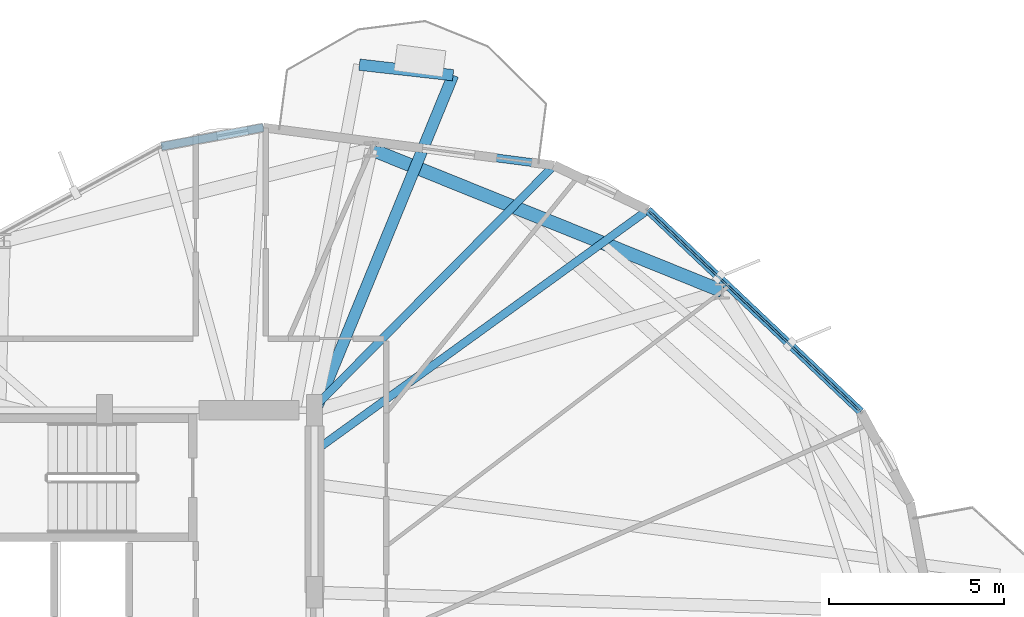
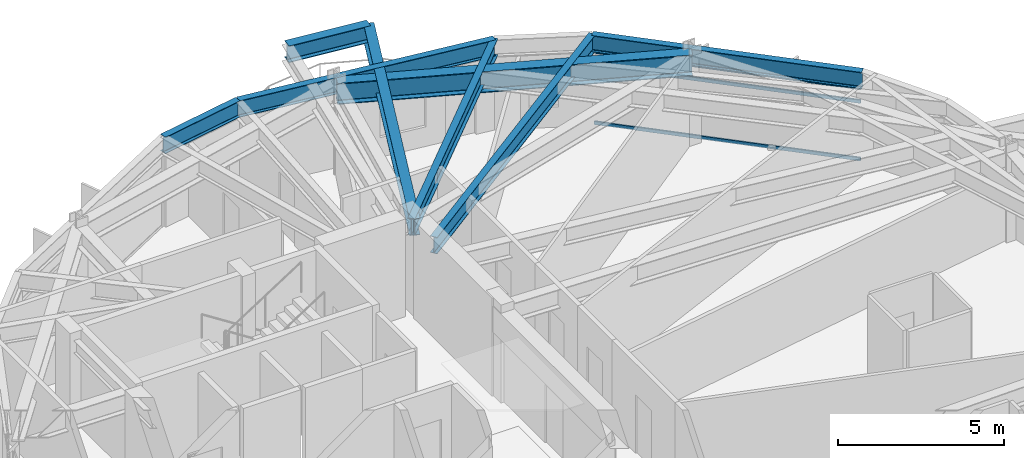
# One storey, part 15 of 23: 8 beams, 3 members, 1 element without a shape of its own.
"""IFC4 building model written with IfcOpenShell, lengths in metres."""

from ifc_helpers import new_model, si_unit, direction, frame, origin, origin_2d, place, context, subcontext, project, spatial, hollow_rectangle, i_section, extrude, material, layer, layer_set, material_profile, profile_set, type_object, element, aggregate, save


model = new_model("IFC4")

# Units and contexts
model_context = context("Model", 3, precision=1e-05, world=origin(), true_north=direction((0.0, 1.0)))
body_context = subcontext(model_context, "Body", "Model", "MODEL_VIEW")
ifc_project = project(units=[si_unit("LENGTHUNIT", "METRE"), si_unit("AREAUNIT", "SQUARE_METRE"), si_unit("VOLUMEUNIT", "CUBIC_METRE"), si_unit("PLANEANGLEUNIT", "RADIAN"), si_unit("MASSUNIT", "GRAM", prefix="KILO")], contexts=[model_context])

# Site, building, storey
site_placement = place(None, origin())
site = spatial("IfcSite", under=ifc_project, at=site_placement, CompositionType="ELEMENT")
building_placement = place(site_placement, origin())
building = spatial("IfcBuilding", under=site, at=building_placement, Name="Soratama Intermodal Tower", CompositionType="ELEMENT")
storey_placement = place(building_placement, frame((0.0, 0.0, 139.0)))
storey = spatial("IfcBuildingStorey", under=building, at=storey_placement, Name="L33", CompositionType="ELEMENT", Elevation=139.0)

# Beams
ifc_material_1 = material(Name="Structural steel ASTM A992 Grade 50", Category="steel")
ifc_material_profile_1 = material_profile(ifc_material_1, i_section(OverallWidth=0.324951171875, OverallDepth=0.615966796875, WebThickness=0.013916015625, FlangeThickness=0.021484375, FilletRadius=0.013916015625, at=origin_2d()), Name="W24X117")
ifc_profile_set_1 = profile_set([ifc_material_profile_1], Name="Structural steel ASTM A992 Grade 50")
beam_type_1 = type_object("IfcBeamType", Name="BM-CANT-W24X117", PredefinedType="BEAM", material=ifc_profile_set_1)
beam_1_placement = place(storey_placement, frame((48.55810546875, 44.575927734375, 2.991943359375), z_axis=(-0.993736978265, 0.111744431756, 0.0), x_axis=(-0.111744431756, -0.993736978265, 0.0)))
element("IfcBeam", 1, at=beam_1_placement, inside=storey, type_object=beam_type_1, Name="BM-L33-CBHDR-2", PredefinedType="BEAM", context=body_context, shape_type="SweptSolid", body=[
    extrude(i_section(OverallWidth=0.324951171875, OverallDepth=0.615966796875, WebThickness=0.013916015625, FlangeThickness=0.021484375, FilletRadius=0.013916015625, at=origin_2d()), origin(), (0.0, 0.0, 1.0), 2.69384765625),
])
beam_2_placement = place(storey_placement, frame((44.614990234375, 34.962890625, 2.991943359375), z_axis=(0.379499113964, 0.925192100323, 0.0), x_axis=(-0.925192100323, 0.379499113964, 0.0)))
element("IfcBeam", 2, at=beam_2_placement, inside=storey, type_object=beam_type_1, Name="BM-L33-CANT-2-1", PredefinedType="BEAM", context=body_context, shape_type="SweptSolid", body=[
    extrude(i_section(OverallWidth=0.324951171875, OverallDepth=0.615966796875, WebThickness=0.013916015625, FlangeThickness=0.021484375, FilletRadius=0.013916015625, at=origin_2d()), origin(), (0.0, 0.0, 1.0), 10.390380859375),
])
ifc_material_2 = material(Name="Structural steel ASTM A992 Grade 50", Category="steel")
ifc_material_profile_2 = material_profile(ifc_material_2, i_section(OverallWidth=0.382080078125, OverallDepth=0.779052734375, WebThickness=0.01806640625, FlangeThickness=0.030029296875, FilletRadius=0.01806640625, at=origin_2d()), Name="W30X191")
ifc_profile_set_2 = profile_set([ifc_material_profile_2], Name="Structural steel ASTM A992 Grade 50")
beam_type_2 = type_object("IfcBeamType", Name="BM-RING-W30X191", PredefinedType="BEAM", material=ifc_profile_set_2)
beam_3_placement = place(storey_placement, frame((56.2490234375, 38.406005859375, 2.910400390625), z_axis=(-0.927202491827, 0.374560461275, 0.0), x_axis=(-0.374560461275, -0.927202491827, 0.0)))
element("IfcBeam", 3, at=beam_3_placement, inside=storey, type_object=beam_type_2, Name="BM-L33-RING-02", PredefinedType="BEAM", context=body_context, shape_type="SweptSolid", body=[
    extrude(i_section(OverallWidth=0.382080078125, OverallDepth=0.779052734375, WebThickness=0.01806640625, FlangeThickness=0.030029296875, FilletRadius=0.01806640625, at=origin_2d()), origin(), (0.0, 0.0, 1.0), 10.8154296875),
])
ifc_material_3 = material(Name="Structural steel ASTM A992 Grade 50", Category="steel")
ifc_material_profile_3 = material_profile(ifc_material_3, i_section(OverallWidth=0.22900390625, OverallDepth=0.612060546875, WebThickness=0.011962890625, FlangeThickness=0.01953125, FilletRadius=0.012939453125, at=origin_2d()), Name="W24X84")
ifc_profile_set_3 = profile_set([ifc_material_profile_3], Name="Structural steel ASTM A992 Grade 50")
beam_type_3 = type_object("IfcBeamType", Name="BM-SPN-W24X84", PredefinedType="SPANDREL", material=ifc_profile_set_3)
beam_4_placement = place(storey_placement, frame((60.2041015625, 34.965087890625, 2.993896484375), z_axis=(-0.726124993636, 0.687562719769, 0.0), x_axis=(-0.687562719769, -0.726124993636, 0.0)))
element("IfcBeam", 4, at=beam_4_placement, inside=storey, type_object=beam_type_3, Name="BS-L33-F01", PredefinedType="SPANDREL", context=body_context, shape_type="SweptSolid", body=[
    extrude(i_section(OverallWidth=0.22900390625, OverallDepth=0.612060546875, WebThickness=0.011962890625, FlangeThickness=0.01953125, FilletRadius=0.012939453125, at=origin_2d()), origin(), (0.0, 0.0, 1.0), 8.3759765625),
])
beam_5_placement = place(storey_placement, frame((51.443115234375, 41.998046875, 2.993896484375), z_axis=(-0.991574710592, 0.129536069548, 0.0), x_axis=(-0.129536069548, -0.991574710592, 0.0)))
element("IfcBeam", 5, at=beam_5_placement, inside=storey, type_object=beam_type_3, Name="BS-L33-F02", PredefinedType="SPANDREL", context=body_context, shape_type="SweptSolid", body=[
    extrude(i_section(OverallWidth=0.22900390625, OverallDepth=0.612060546875, WebThickness=0.011962890625, FlangeThickness=0.01953125, FilletRadius=0.012939453125, at=origin_2d()), origin(), (0.0, 0.0, 1.0), 8.375732421875),
])
beam_6_placement = place(storey_placement, frame((43.137939453125, 43.0830078125, 2.993896484375), z_axis=(-0.983054268062, -0.18331477312, 0.0), x_axis=(0.18331477312, -0.983054268062, 0.0)))
element("IfcBeam", 6, at=beam_6_placement, inside=storey, type_object=beam_type_3, Name="BS-L33-CRN02", PredefinedType="SPANDREL", context=body_context, shape_type="SweptSolid", body=[
    extrude(i_section(OverallWidth=0.22900390625, OverallDepth=0.612060546875, WebThickness=0.011962890625, FlangeThickness=0.01953125, FilletRadius=0.012939453125, at=origin_2d()), origin(), (0.0, 0.0, 1.0), 2.96728515625),
])
ifc_material_4 = material(Name="Structural steel ASTM A992 Grade 50", Category="steel")
ifc_material_profile_4 = material_profile(ifc_material_4, i_section(OverallWidth=0.22900390625, OverallDepth=0.612060546875, WebThickness=0.011962890625, FlangeThickness=0.01953125, FilletRadius=0.012939453125, at=origin_2d()), Name="W24X84")
ifc_profile_set_4 = profile_set([ifc_material_profile_4], Name="Structural steel ASTM A992 Grade 50")
beam_type_4 = type_object("IfcBeamType", Name="BM-TIE-W24X84", PredefinedType="BEAM", material=ifc_profile_set_4)
beam_7_placement = place(storey_placement, frame((44.632080078125, 33.860107421875, 2.993896484375), z_axis=(0.810268427826, 0.586058934638, 0.0), x_axis=(-0.586058934638, 0.810268427826, 0.0)))
element("IfcBeam", 7, at=beam_7_placement, inside=storey, type_object=beam_type_4, Name="BM-L33-TIE1-01", PredefinedType="BEAM", context=body_context, shape_type="SweptSolid", body=[
    extrude(i_section(OverallWidth=0.22900390625, OverallDepth=0.612060546875, WebThickness=0.011962890625, FlangeThickness=0.01953125, FilletRadius=0.012939453125, at=origin_2d()), origin(), (0.0, 0.0, 1.0), 11.712158203125),
])
beam_8_placement = place(storey_placement, frame((44.531982421875, 35.028076171875, 2.993896484375), z_axis=(0.704103239615, 0.710097618616, 0.0), x_axis=(-0.710097618616, 0.704103239615, 0.0)))
element("IfcBeam", 8, at=beam_8_placement, inside=storey, type_object=beam_type_4, Name="BM-L33-TIE0-02", PredefinedType="BEAM", context=body_context, shape_type="SweptSolid", body=[
    extrude(i_section(OverallWidth=0.22900390625, OverallDepth=0.612060546875, WebThickness=0.011962890625, FlangeThickness=0.01953125, FilletRadius=0.012939453125, at=origin_2d()), origin(), (0.0, 0.0, 1.0), 9.8154296875),
])

# Curtain wall, members
ifc_material_5 = material(Name="Double-glazed aluminium curtain wall", Category="aluminium")
ifc_layer = layer(ifc_material_5, 0.159912109375)
ifc_layer_set = layer_set([ifc_layer], Name="Double-glazed aluminium curtain wall")
curtain_wall_type = type_object("IfcCurtainWallType", Name="CW-SYS-4", PredefinedType="NOTDEFINED", material=ifc_layer_set)
curtain_wall_placement = place(storey_placement, origin())
curtain_wall = element("IfcCurtainWall", 9, at=curtain_wall_placement, inside=storey, type_object=curtain_wall_type, Name="L33 Faceted Curtain Wall F01", PredefinedType="NOTDEFINED")
ifc_material_6 = material(Name="Anodised aluminium AA 6063-T6", Category="aluminium")
ifc_material_profile_5 = material_profile(ifc_material_6, hollow_rectangle(XDim=0.06005859375, YDim=0.1298828125, WallThickness=0.0048828125, InnerFilletRadius=0.0048828125, OuterFilletRadius=0.010009765625, at=origin_2d()), Name="CWT130X60X5")
ifc_profile_set_5 = profile_set([ifc_material_profile_5], Name="Anodised aluminium AA 6063-T6")
member_type = type_object("IfcMemberType", Name="TT-CWT-2", PredefinedType="USERDEFINED", material=ifc_profile_set_5)
member_1_placement = place(storey_placement, frame((60.16064453125, 35.005859375, 0.030029296875), z_axis=(-0.726094864085, 0.687594537754, 0.0), x_axis=(-0.687594537754, -0.726094864085, 0.0)))
member_1 = element("IfcMember", 10, at=member_1_placement, type_object=member_type, Name="CW-4 transom 1.1", ObjectType="TRANSOM", PredefinedType="USERDEFINED", context=body_context, shape_type="SweptSolid", body=[
    extrude(hollow_rectangle(XDim=0.06005859375, YDim=0.1298828125, WallThickness=0.0048828125, InnerFilletRadius=0.0048828125, OuterFilletRadius=0.010009765625, at=origin_2d()), origin(), (0.0, 0.0, 1.0), 8.25634765625),
])
member_2_placement = place(storey_placement, frame((60.16064453125, 35.005859375, 2.14990234375), z_axis=(-0.726094864085, 0.687594537754, 0.0), x_axis=(-0.687594537754, -0.726094864085, 0.0)))
member_2 = element("IfcMember", 11, at=member_2_placement, type_object=member_type, Name="CW-4 transom 1.2", ObjectType="TRANSOM", PredefinedType="USERDEFINED", context=body_context, shape_type="SweptSolid", body=[
    extrude(hollow_rectangle(XDim=0.06005859375, YDim=0.1298828125, WallThickness=0.0048828125, InnerFilletRadius=0.0048828125, OuterFilletRadius=0.010009765625, at=origin_2d()), origin(), (0.0, 0.0, 1.0), 8.25634765625),
])
member_3_placement = place(storey_placement, frame((60.16064453125, 35.005859375, 2.64892578125), z_axis=(-0.726094864085, 0.687594537754, 0.0), x_axis=(-0.687594537754, -0.726094864085, 0.0)))
member_3 = element("IfcMember", 12, at=member_3_placement, type_object=member_type, Name="CW-4 transom 1.3", ObjectType="TRANSOM", PredefinedType="USERDEFINED", context=body_context, shape_type="SweptSolid", body=[
    extrude(hollow_rectangle(XDim=0.06005859375, YDim=0.1298828125, WallThickness=0.0048828125, InnerFilletRadius=0.0048828125, OuterFilletRadius=0.010009765625, at=origin_2d()), origin(), (0.0, 0.0, 1.0), 8.25634765625),
])
aggregate(curtain_wall, [member_1, member_2, member_3])

save(model, "model.ifc")
